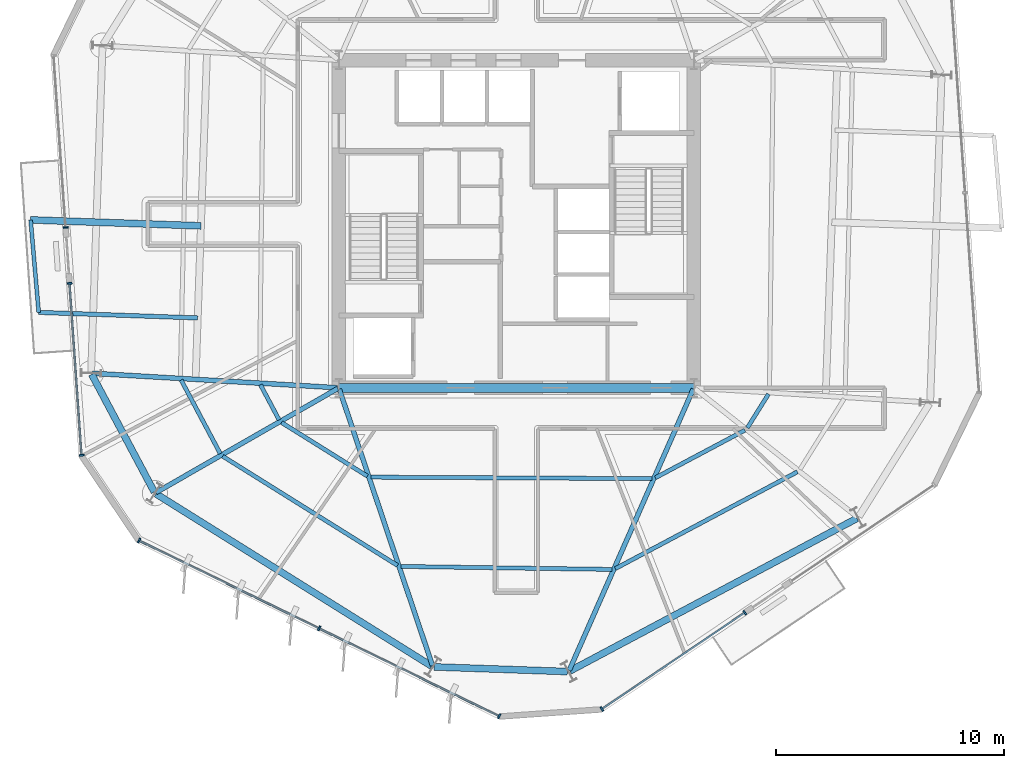
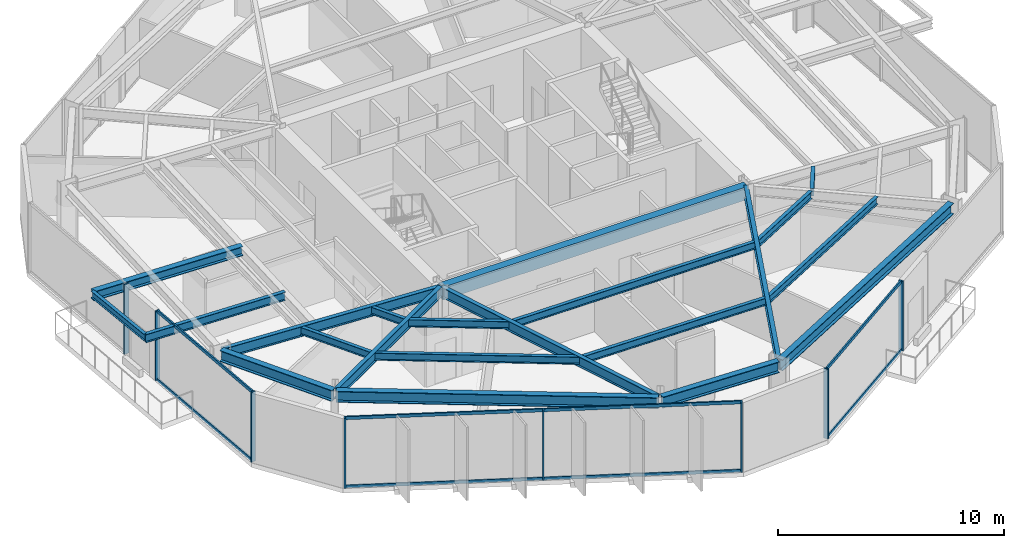
# One storey, part 2 of 14: 21 beams, 16 members, 4 elements without a shape of their own.
"""IFC4 building model written with IfcOpenShell, lengths in metres."""

from ifc_helpers import new_model, si_unit, direction, frame, origin, origin_2d, place, context, subcontext, project, spatial, rectangle, i_section, extrude, material, layer, layer_set, material_profile, profile_set, type_object, element, aggregate, save


model = new_model("IFC4")

# Units and contexts
model_context = context("Model", 3, precision=1e-05, world=origin(), true_north=direction((0.0, 1.0)))
body_context = subcontext(model_context, "Body", "Model", "MODEL_VIEW")
ifc_project = project(units=[si_unit("LENGTHUNIT", "METRE"), si_unit("AREAUNIT", "SQUARE_METRE"), si_unit("VOLUMEUNIT", "CUBIC_METRE"), si_unit("PLANEANGLEUNIT", "RADIAN"), si_unit("MASSUNIT", "GRAM", prefix="KILO")], contexts=[model_context])

# Site, building, storey
site_placement = place(None, origin())
site = spatial("IfcSite", under=ifc_project, at=site_placement, CompositionType="ELEMENT")
building_placement = place(site_placement, origin())
building = spatial("IfcBuilding", under=site, at=building_placement, Name="Kranzbogen Civic Tower", CompositionType="ELEMENT")
storey_placement = place(building_placement, frame((0.0, 0.0, 158.39990234375)))
storey = spatial("IfcBuildingStorey", under=building, at=storey_placement, Name="L38", CompositionType="ELEMENT", Elevation=158.39990234375)

# Beams
ifc_material_1 = material(Name="Steel S355", Category="steel")
ifc_material_profile_1 = material_profile(ifc_material_1, i_section(OverallWidth=0.18994140625, OverallDepth=0.449951171875, WebThickness=0.009521484375, FlangeThickness=0.0146484375, at=origin_2d()), Name="IPE 450")
ifc_profile_set_1 = profile_set([ifc_material_profile_1], Name="Steel S355")
beam_type_1 = type_object("IfcBeamType", Name="Braced Terrace Edge Beam IPE 450", PredefinedType="BEAM", material=ifc_profile_set_1)
beam_1_placement = place(storey_placement, frame((10.99609375, 20.8720703125, 3.525146484375), z_axis=(-0.999391481026, 0.034880763356, 0.0), x_axis=(-0.034880763356, -0.999391481026, 0.0)))
element("IfcBeam", 1, at=beam_1_placement, inside=storey, type_object=beam_type_1, Name="L39 back-spanned terrace beam L39-TB2-2", PredefinedType="BEAM", context=body_context, shape_type="SweptSolid", body=[
    extrude(i_section(OverallWidth=0.18994140625, OverallDepth=0.449951171875, WebThickness=0.009521484375, FlangeThickness=0.0146484375, at=origin_2d()), origin(), (0.0, 0.0, 1.0), 6.9921875),
])
ifc_material_2 = material(Name="Concrete C40/50", Category="concrete")
ifc_material_profile_2 = material_profile(ifc_material_2, rectangle(XDim=0.39990234375, YDim=0.699951171875, at=origin_2d()), Name="RC-BM 400x700")
ifc_profile_set_2 = profile_set([ifc_material_profile_2], Name="Concrete C40/50")
beam_type_2 = type_object("IfcBeamType", Name="Core Coupling Lintel Beam 400x700", PredefinedType="LINTEL", material=ifc_profile_set_2)
beam_2_placement = place(storey_placement, frame((17.199951171875, 17.800048828125, 3.41015625), z_axis=(1.0, 0.0, 0.0), x_axis=(0.0, 1.0, 0.0)))
element("IfcBeam", 2, at=beam_2_placement, inside=storey, type_object=beam_type_2, Name="L38 core South coupling lintel beam", PredefinedType="LINTEL", context=body_context, shape_type="SweptSolid", body=[
    extrude(rectangle(XDim=0.39990234375, YDim=0.699951171875, at=origin_2d()), origin(), (0.0, 0.0, 1.0), 15.60009765625),
])

# Curtain wall, member
ifc_material_3 = material(Name="Pale Anodised Aluminium", Category="aluminium")
ifc_layer = layer(ifc_material_3, 0.219970703125, Name="Pale Anodised Aluminium")
ifc_layer_set = layer_set([ifc_layer], Name="Pale Anodised Aluminium")
curtain_wall_type = type_object("IfcCurtainWallType", Name="Zone 2 Stick Curtain Wall System CW-03", PredefinedType="USERDEFINED", material=ifc_layer_set)
curtain_wall_1_placement = place(storey_placement, origin())
curtain_wall_1 = element("IfcCurtainWall", 3, at=curtain_wall_1_placement, inside=storey, type_object=curtain_wall_type, Name="L38 curtain wall CW-L38-F3-S1", ObjectType="STICK CURTAIN WALL", PredefinedType="USERDEFINED")
ifc_material_profile_3 = material_profile(ifc_material_3, rectangle(XDim=0.074951171875, YDim=0.219970703125, at=origin_2d()), Name="ALU-M 75x220")
ifc_profile_set_3 = profile_set([ifc_material_profile_3], Name="Pale Anodised Aluminium")
member_type_1 = type_object("IfcMemberType", Name="Curtain Wall Mullion ALU-M 75x220", PredefinedType="MULLION", material=ifc_profile_set_3)
member_1_placement = place(storey_placement, frame((5.18994140625, 24.847900390625, 0.0), z_axis=(0.0, 0.0, 1.0), x_axis=(0.069822609681, -0.997559423382, 0.0)))
member_1 = element("IfcMember", 4, at=member_1_placement, type_object=member_type_1, Name="CW-03 mullion 2", PredefinedType="MULLION", context=body_context, shape_type="SweptSolid", body=[
    extrude(rectangle(XDim=0.074951171875, YDim=0.219970703125, at=origin_2d()), origin(), (0.0, 0.0, 1.0), 3.760009765625),
])
aggregate(curtain_wall_1, [member_1])

# Curtain wall, members
curtain_wall_2_placement = place(storey_placement, origin())
curtain_wall_2 = element("IfcCurtainWall", 5, at=curtain_wall_2_placement, inside=storey, type_object=curtain_wall_type, Name="L38 curtain wall CW-L38-F3-S2", ObjectType="STICK CURTAIN WALL", PredefinedType="USERDEFINED")
member_2_placement = place(storey_placement, frame((5.362060546875, 22.39404296875, 0.0), z_axis=(0.0, 0.0, 1.0), x_axis=(0.069813486474, -0.997560061904, 0.0)))
member_2 = element("IfcMember", 6, at=member_2_placement, type_object=member_type_1, Name="CW-03 mullion 1", PredefinedType="MULLION", context=body_context, shape_type="SweptSolid", body=[
    extrude(rectangle(XDim=0.074951171875, YDim=0.219970703125, at=origin_2d()), origin(), (0.0, 0.0, 1.0), 3.760009765625),
])
member_3_placement = place(storey_placement, frame((5.890869140625, 14.837890625, 0.0), z_axis=(0.0, 0.0, 1.0), x_axis=(0.069813486474, -0.997560061904, 0.0)))
member_3 = element("IfcMember", 7, at=member_3_placement, type_object=member_type_1, Name="CW-03 mullion 2", PredefinedType="MULLION", context=body_context, shape_type="SweptSolid", body=[
    extrude(rectangle(XDim=0.074951171875, YDim=0.219970703125, at=origin_2d()), origin(), (0.0, 0.0, 1.0), 3.760009765625),
])

curtain_wall_3_placement = place(storey_placement, origin())
curtain_wall_3 = element("IfcCurtainWall", 8, at=curtain_wall_3_placement, inside=storey, type_object=curtain_wall_type, Name="L38 curtain wall CW-L38-F4", ObjectType="STICK CURTAIN WALL", PredefinedType="USERDEFINED")
member_4_placement = place(storey_placement, frame((8.4189453125, 11.0888671875, 0.0), z_axis=(0.0, 0.0, 1.0), x_axis=(0.8987869382, -0.438385720252, 0.0)))
member_4 = element("IfcMember", 9, at=member_4_placement, type_object=member_type_1, Name="CW-03 mullion 1", PredefinedType="MULLION", context=body_context, shape_type="SweptSolid", body=[
    extrude(rectangle(XDim=0.074951171875, YDim=0.219970703125, at=origin_2d()), origin(), (0.0, 0.0, 1.0), 3.760009765625),
])
member_5_placement = place(storey_placement, frame((16.33251953125, 7.22900390625, 0.0), z_axis=(0.0, 0.0, 1.0), x_axis=(0.8987869382, -0.438385720252, 0.0)))
member_5 = element("IfcMember", 10, at=member_5_placement, type_object=member_type_1, Name="CW-03 mullion 2", PredefinedType="MULLION", context=body_context, shape_type="SweptSolid", body=[
    extrude(rectangle(XDim=0.074951171875, YDim=0.219970703125, at=origin_2d()), origin(), (0.0, 0.0, 1.0), 3.760009765625),
])
member_6_placement = place(storey_placement, frame((24.24609375, 3.369140625, 0.0), z_axis=(0.0, 0.0, 1.0), x_axis=(0.8987869382, -0.438385720252, 0.0)))
member_6 = element("IfcMember", 11, at=member_6_placement, type_object=member_type_1, Name="CW-03 mullion 3", PredefinedType="MULLION", context=body_context, shape_type="SweptSolid", body=[
    extrude(rectangle(XDim=0.074951171875, YDim=0.219970703125, at=origin_2d()), origin(), (0.0, 0.0, 1.0), 3.760009765625),
])

curtain_wall_4_placement = place(storey_placement, origin())
curtain_wall_4 = element("IfcCurtainWall", 12, at=curtain_wall_4_placement, inside=storey, type_object=curtain_wall_type, Name="L38 curtain wall CW-L38-F5-S1", ObjectType="STICK CURTAIN WALL", PredefinedType="USERDEFINED")
member_7_placement = place(storey_placement, frame((28.7578125, 3.684814453125, 0.0), z_axis=(0.0, 0.0, 1.0), x_axis=(0.829035410899, 0.559196108244, 0.0)))
member_7 = element("IfcMember", 13, at=member_7_placement, type_object=member_type_1, Name="CW-03 mullion 1", PredefinedType="MULLION", context=body_context, shape_type="SweptSolid", body=[
    extrude(rectangle(XDim=0.074951171875, YDim=0.219970703125, at=origin_2d()), origin(), (0.0, 0.0, 1.0), 3.760009765625),
])
member_8_placement = place(storey_placement, frame((35.037109375, 7.920166015625, 0.0), z_axis=(0.0, 0.0, 1.0), x_axis=(0.829035410899, 0.559196108244, 0.0)))
member_8 = element("IfcMember", 14, at=member_8_placement, type_object=member_type_1, Name="CW-03 mullion 2", PredefinedType="MULLION", context=body_context, shape_type="SweptSolid", body=[
    extrude(rectangle(XDim=0.074951171875, YDim=0.219970703125, at=origin_2d()), origin(), (0.0, 0.0, 1.0), 3.760009765625),
])

# Member
ifc_material_profile_4 = material_profile(ifc_material_3, rectangle(XDim=0.074951171875, YDim=0.1650390625, at=origin_2d()), Name="ALU-T 75x165")
ifc_profile_set_4 = profile_set([ifc_material_profile_4], Name="Pale Anodised Aluminium")
member_type_2 = type_object("IfcMemberType", Name="Curtain Wall Transom ALU-T 75x165", PredefinedType="USERDEFINED", material=ifc_profile_set_4)
member_9_placement = place(storey_placement, frame((5.3642578125, 22.3642578125, 0.030029296875), z_axis=(0.069817812162, -0.997559759165, 0.0), x_axis=(0.997559759165, 0.069817812162, 0.0)))
member_9 = element("IfcMember", 15, at=member_9_placement, type_object=member_type_2, Name="CW-03 transom 1.1", ObjectType="TRANSOM", PredefinedType="USERDEFINED", context=body_context, shape_type="SweptSolid", body=[
    extrude(rectangle(XDim=0.074951171875, YDim=0.1650390625, at=origin_2d()), origin(), (0.0, 0.0, 1.0), 7.5146484375),
])

member_10_placement = place(storey_placement, frame((5.3642578125, 22.3642578125, 3.72998046875), z_axis=(0.069817812162, -0.997559759165, 0.0), x_axis=(0.997559759165, 0.069817812162, 0.0)))
member_10 = element("IfcMember", 16, at=member_10_placement, type_object=member_type_2, Name="CW-03 transom 1.2", ObjectType="TRANSOM", PredefinedType="USERDEFINED", context=body_context, shape_type="SweptSolid", body=[
    extrude(rectangle(XDim=0.074951171875, YDim=0.1650390625, at=origin_2d()), origin(), (0.0, 0.0, 1.0), 7.5146484375),
])

aggregate(curtain_wall_2, [member_2, member_3, member_9, member_10])

member_11_placement = place(storey_placement, frame((8.446044921875, 11.07568359375, 0.030029296875), z_axis=(0.898784008077, -0.438391727597, 0.0), x_axis=(0.438391727597, 0.898784008077, 0.0)))
member_11 = element("IfcMember", 17, at=member_11_placement, type_object=member_type_2, Name="CW-03 transom 1.1", ObjectType="TRANSOM", PredefinedType="USERDEFINED", context=body_context, shape_type="SweptSolid", body=[
    extrude(rectangle(XDim=0.074951171875, YDim=0.1650390625, at=origin_2d()), origin(), (0.0, 0.0, 1.0), 8.744384765625),
])

member_12_placement = place(storey_placement, frame((8.446044921875, 11.07568359375, 3.72998046875), z_axis=(0.898784008077, -0.438391727597, 0.0), x_axis=(0.438391727597, 0.898784008077, 0.0)))
member_12 = element("IfcMember", 18, at=member_12_placement, type_object=member_type_2, Name="CW-03 transom 1.2", ObjectType="TRANSOM", PredefinedType="USERDEFINED", context=body_context, shape_type="SweptSolid", body=[
    extrude(rectangle(XDim=0.074951171875, YDim=0.1650390625, at=origin_2d()), origin(), (0.0, 0.0, 1.0), 8.744384765625),
])

member_13_placement = place(storey_placement, frame((16.359375, 7.2158203125, 0.030029296875), z_axis=(0.898789373645, -0.438380727021, 0.0), x_axis=(0.438380727021, 0.898789373645, 0.0)))
member_13 = element("IfcMember", 19, at=member_13_placement, type_object=member_type_2, Name="CW-03 transom 2.1", ObjectType="TRANSOM", PredefinedType="USERDEFINED", context=body_context, shape_type="SweptSolid", body=[
    extrude(rectangle(XDim=0.074951171875, YDim=0.1650390625, at=origin_2d()), origin(), (0.0, 0.0, 1.0), 8.74462890625),
])

member_14_placement = place(storey_placement, frame((16.359375, 7.2158203125, 3.72998046875), z_axis=(0.898789373645, -0.438380727021, 0.0), x_axis=(0.438380727021, 0.898789373645, 0.0)))
member_14 = element("IfcMember", 20, at=member_14_placement, type_object=member_type_2, Name="CW-03 transom 2.2", ObjectType="TRANSOM", PredefinedType="USERDEFINED", context=body_context, shape_type="SweptSolid", body=[
    extrude(rectangle(XDim=0.074951171875, YDim=0.1650390625, at=origin_2d()), origin(), (0.0, 0.0, 1.0), 8.74462890625),
])

aggregate(curtain_wall_3, [member_4, member_5, member_6, member_11, member_12, member_13, member_14])

member_15_placement = place(storey_placement, frame((28.78271484375, 3.70166015625, 0.030029296875), z_axis=(0.829033947243, 0.559198278179, 0.0), x_axis=(-0.559198278179, 0.829033947243, 0.0)))
member_15 = element("IfcMember", 21, at=member_15_placement, type_object=member_type_2, Name="CW-03 transom 1.1", ObjectType="TRANSOM", PredefinedType="USERDEFINED", context=body_context, shape_type="SweptSolid", body=[
    extrude(rectangle(XDim=0.074951171875, YDim=0.1650390625, at=origin_2d()), origin(), (0.0, 0.0, 1.0), 7.51416015625),
])

member_16_placement = place(storey_placement, frame((28.78271484375, 3.70166015625, 3.72998046875), z_axis=(0.829033947243, 0.559198278179, 0.0), x_axis=(-0.559198278179, 0.829033947243, 0.0)))
member_16 = element("IfcMember", 22, at=member_16_placement, type_object=member_type_2, Name="CW-03 transom 1.2", ObjectType="TRANSOM", PredefinedType="USERDEFINED", context=body_context, shape_type="SweptSolid", body=[
    extrude(rectangle(XDim=0.074951171875, YDim=0.1650390625, at=origin_2d()), origin(), (0.0, 0.0, 1.0), 7.51416015625),
])

aggregate(curtain_wall_4, [member_7, member_8, member_15, member_16])

# Beams
ifc_material_profile_5 = material_profile(ifc_material_1, i_section(OverallWidth=0.300048828125, OverallDepth=0.5, WebThickness=0.014404296875, FlangeThickness=0.028076171875, at=origin_2d()), Name="HEB 500")
ifc_profile_set_5 = profile_set([ifc_material_profile_5], Name="Steel S355")
beam_type_3 = type_object("IfcBeamType", Name="Perimeter Tube Spandrel Beam HEB 500", PredefinedType="SPANDREL", material=ifc_profile_set_5)
beam_3_placement = place(storey_placement, frame((11.136962890625, 24.9189453125, 3.5), z_axis=(-0.999388096346, 0.034977605433, 0.0), x_axis=(-0.034977605433, -0.999388096346, 0.0)))
element("IfcBeam", 23, at=beam_3_placement, inside=storey, type_object=beam_type_3, Name="L39 back-spanned terrace beam L39-TB2-1", PredefinedType="SPANDREL", context=body_context, shape_type="SweptSolid", body=[
    extrude(i_section(OverallWidth=0.300048828125, OverallDepth=0.5, WebThickness=0.014404296875, FlangeThickness=0.028076171875, at=origin_2d()), origin(), (0.0, 0.0, 1.0), 7.489501953125),
])
ifc_material_profile_6 = material_profile(ifc_material_1, i_section(OverallWidth=0.300048828125, OverallDepth=0.60009765625, WebThickness=0.015380859375, FlangeThickness=0.030029296875, at=origin_2d()), Name="HEB 600")
ifc_profile_set_6 = profile_set([ifc_material_profile_6], Name="Steel S355")
beam_type_4 = type_object("IfcBeamType", Name="Perimeter Tube Spandrel Beam HEB 600", PredefinedType="SPANDREL", material=ifc_profile_set_6)
beam_4_placement = place(storey_placement, frame((6.337890625, 18.39111328125, 3.460205078125), z_axis=(0.469565926668, -0.882897412224, 0.0), x_axis=(0.882897412224, 0.469565926668, 0.0)))
element("IfcBeam", 24, at=beam_4_placement, inside=storey, type_object=beam_type_4, Name="L38 perimeter spandrel beam 01", PredefinedType="SPANDREL", context=body_context, shape_type="SweptSolid", body=[
    extrude(i_section(OverallWidth=0.300048828125, OverallDepth=0.60009765625, WebThickness=0.015380859375, FlangeThickness=0.030029296875, at=origin_2d()), origin(), (0.0, 0.0, 1.0), 5.852294921875),
])
beam_5_placement = place(storey_placement, frame((9.1650390625, 13.138916015625, 3.460205078125), z_axis=(0.848051101349, -0.52991445489, 0.0), x_axis=(0.52991445489, 0.848051101349, 0.0)))
element("IfcBeam", 25, at=beam_5_placement, inside=storey, type_object=beam_type_4, Name="L38 perimeter spandrel beam 02", PredefinedType="SPANDREL", context=body_context, shape_type="SweptSolid", body=[
    extrude(i_section(OverallWidth=0.300048828125, OverallDepth=0.60009765625, WebThickness=0.015380859375, FlangeThickness=0.030029296875, at=origin_2d()), origin(), (0.0, 0.0, 1.0), 14.286865234375),
])
beam_6_placement = place(storey_placement, frame((21.39208984375, 5.533935546875, 3.460205078125), z_axis=(0.999393148233, -0.03483296234, 0.0), x_axis=(0.03483296234, 0.999393148233, 0.0)))
element("IfcBeam", 26, at=beam_6_placement, inside=storey, type_object=beam_type_4, Name="L38 perimeter spandrel beam 03", PredefinedType="SPANDREL", context=body_context, shape_type="SweptSolid", body=[
    extrude(i_section(OverallWidth=0.300048828125, OverallDepth=0.60009765625, WebThickness=0.015380859375, FlangeThickness=0.030029296875, at=origin_2d()), origin(), (0.0, 0.0, 1.0), 5.8525390625),
])
beam_7_placement = place(storey_placement, frame((27.35400390625, 5.35595703125, 3.460205078125), z_axis=(0.882948194046, 0.469470432116, 0.0), x_axis=(-0.469470432116, 0.882948194046, 0.0)))
element("IfcBeam", 27, at=beam_7_placement, inside=storey, type_object=beam_type_4, Name="L38 perimeter spandrel beam 04", PredefinedType="SPANDREL", context=body_context, shape_type="SweptSolid", body=[
    extrude(i_section(OverallWidth=0.300048828125, OverallDepth=0.60009765625, WebThickness=0.015380859375, FlangeThickness=0.030029296875, at=origin_2d()), origin(), (0.0, 0.0, 1.0), 14.28857421875),
])
ifc_material_profile_7 = material_profile(ifc_material_1, i_section(OverallWidth=0.2099609375, OverallDepth=0.550048828125, WebThickness=0.010986328125, FlangeThickness=0.01708984375, at=origin_2d()), Name="IPE 550")
ifc_profile_set_7 = profile_set([ifc_material_profile_7], Name="Steel S355")
beam_type_5 = type_object("IfcBeamType", Name="Radial Tower Floor Girder IPE 550", PredefinedType="BEAM", material=ifc_profile_set_7)
beam_8_placement = place(storey_placement, frame((6.3701171875, 18.43994140625, 3.485107421875), z_axis=(0.998260925387, -0.058950189528, 0.0), x_axis=(0.058950189528, 0.998260925387, 0.0)))
element("IfcBeam", 28, at=beam_8_placement, inside=storey, type_object=beam_type_5, Name="L38 radial floor girder 01", PredefinedType="BEAM", context=body_context, shape_type="SweptSolid", body=[
    extrude(i_section(OverallWidth=0.2099609375, OverallDepth=0.550048828125, WebThickness=0.010986328125, FlangeThickness=0.01708984375, at=origin_2d()), origin(), (0.0, 0.0, 1.0), 10.78857421875),
])
beam_9_placement = place(storey_placement, frame((9.166015625, 13.200927734375, 3.485107421875), z_axis=(0.867868812182, 0.496793442833, 0.0), x_axis=(-0.496793442833, 0.867868812182, 0.0)))
element("IfcBeam", 29, at=beam_9_placement, inside=storey, type_object=beam_type_5, Name="L38 radial floor girder 02", PredefinedType="BEAM", context=body_context, shape_type="SweptSolid", body=[
    extrude(i_section(OverallWidth=0.2099609375, OverallDepth=0.550048828125, WebThickness=0.010986328125, FlangeThickness=0.01708984375, at=origin_2d()), origin(), (0.0, 0.0, 1.0), 9.197265625),
])
beam_10_placement = place(storey_placement, frame((21.31298828125, 5.593017578125, 3.485107421875), z_axis=(-0.319316617377, 0.947648087566, 0.0), x_axis=(-0.947648087566, -0.319316617377, 0.0)))
element("IfcBeam", 30, at=beam_10_placement, inside=storey, type_object=beam_type_5, Name="L38 radial floor girder 03", PredefinedType="BEAM", context=body_context, shape_type="SweptSolid", body=[
    extrude(i_section(OverallWidth=0.2099609375, OverallDepth=0.550048828125, WebThickness=0.010986328125, FlangeThickness=0.01708984375, at=origin_2d()), origin(), (0.0, 0.0, 1.0), 12.821044921875),
])
beam_11_placement = place(storey_placement, frame((27.324951171875, 5.383056640625, 3.485107421875), z_axis=(0.403459127705, 0.914997667905, 0.0), x_axis=(-0.914997667905, 0.403459127705, 0.0)))
element("IfcBeam", 31, at=beam_11_placement, inside=storey, type_object=beam_type_5, Name="L38 radial floor girder 04", PredefinedType="BEAM", context=body_context, shape_type="SweptSolid", body=[
    extrude(i_section(OverallWidth=0.2099609375, OverallDepth=0.550048828125, WebThickness=0.010986328125, FlangeThickness=0.01708984375, at=origin_2d()), origin(), (0.0, 0.0, 1.0), 13.510498046875),
])
ifc_material_profile_8 = material_profile(ifc_material_1, i_section(OverallWidth=0.169921875, OverallDepth=0.360107421875, WebThickness=0.008056640625, FlangeThickness=0.0126953125, at=origin_2d()), Name="IPE 360")
ifc_profile_set_8 = profile_set([ifc_material_profile_8], Name="Steel S355")
beam_type_6 = type_object("IfcBeamType", Name="Secondary Composite Floor Joist IPE 360", PredefinedType="JOIST", material=ifc_profile_set_8)
beam_12_placement = place(storey_placement, frame((3.652099609375, 25.180908203125, 3.570068359375), z_axis=(0.08723374865, -0.996187870382, 0.0), x_axis=(0.996187870382, 0.08723374865, 0.0)))
element("IfcBeam", 32, at=beam_12_placement, inside=storey, type_object=beam_type_6, Name="L39 terrace outer edge trimmer L39-TB2", PredefinedType="JOIST", context=body_context, shape_type="SweptSolid", body=[
    extrude(i_section(OverallWidth=0.169921875, OverallDepth=0.360107421875, WebThickness=0.008056640625, FlangeThickness=0.0126953125, at=origin_2d()), origin(), (0.0, 0.0, 1.0), 4.08056640625),
])
ifc_material_profile_9 = material_profile(ifc_material_1, i_section(OverallWidth=0.179931640625, OverallDepth=0.39990234375, WebThickness=0.008544921875, FlangeThickness=0.013427734375, at=origin_2d()), Name="IPE 400")
ifc_profile_set_9 = profile_set([ifc_material_profile_9], Name="Steel S355")
beam_type_7 = type_object("IfcBeamType", Name="Secondary Composite Floor Joist IPE 400", PredefinedType="JOIST", material=ifc_profile_set_9)
beam_13_placement = place(storey_placement, frame((10.26806640625, 18.14208984375, 3.56005859375), z_axis=(0.469338791783, -0.88301817565, 0.0), x_axis=(0.88301817565, 0.469338791783, 0.0)))
element("IfcBeam", 33, at=beam_13_placement, inside=storey, type_object=beam_type_7, Name="L38 secondary floor joist 1.01", PredefinedType="JOIST", context=body_context, shape_type="SweptSolid", body=[
    extrude(i_section(OverallWidth=0.179931640625, OverallDepth=0.39990234375, WebThickness=0.008544921875, FlangeThickness=0.013427734375, at=origin_2d()), origin(), (0.0, 0.0, 1.0), 3.66259765625),
])
beam_14_placement = place(storey_placement, frame((13.7529296875, 17.93505859375, 3.56005859375), z_axis=(0.46943723363, -0.882965845139, 0.0), x_axis=(0.882965845139, 0.46943723363, 0.0)))
element("IfcBeam", 34, at=beam_14_placement, inside=storey, type_object=beam_type_7, Name="L38 secondary floor joist 2.01", PredefinedType="JOIST", context=body_context, shape_type="SweptSolid", body=[
    extrude(i_section(OverallWidth=0.179931640625, OverallDepth=0.39990234375, WebThickness=0.008544921875, FlangeThickness=0.013427734375, at=origin_2d()), origin(), (0.0, 0.0, 1.0), 1.7509765625),
])
beam_15_placement = place(storey_placement, frame((12.093017578125, 14.794921875, 3.56005859375), z_axis=(0.848025549308, -0.529955345026, 0.0), x_axis=(0.529955345026, 0.848025549308, 0.0)))
element("IfcBeam", 35, at=beam_15_placement, inside=storey, type_object=beam_type_7, Name="L38 secondary floor joist 1.02", PredefinedType="JOIST", context=body_context, shape_type="SweptSolid", body=[
    extrude(i_section(OverallWidth=0.179931640625, OverallDepth=0.39990234375, WebThickness=0.008544921875, FlangeThickness=0.013427734375, at=origin_2d()), origin(), (0.0, 0.0, 1.0), 9.06103515625),
])
beam_16_placement = place(storey_placement, frame((14.679931640625, 16.27587890625, 3.56005859375), z_axis=(0.848093834398, -0.529846060716, 0.0), x_axis=(0.529846060716, 0.848093834398, 0.0)))
element("IfcBeam", 36, at=beam_16_placement, inside=storey, type_object=beam_type_7, Name="L38 secondary floor joist 2.02", PredefinedType="JOIST", context=body_context, shape_type="SweptSolid", body=[
    extrude(i_section(OverallWidth=0.179931640625, OverallDepth=0.39990234375, WebThickness=0.008544921875, FlangeThickness=0.013427734375, at=origin_2d()), origin(), (0.0, 0.0, 1.0), 4.4501953125),
])
beam_17_placement = place(storey_placement, frame((19.924072265625, 9.949951171875, 3.56005859375), z_axis=(0.999900525148, -0.014104602386, 0.0), x_axis=(0.014104602386, 0.999900525148, 0.0)))
element("IfcBeam", 37, at=beam_17_placement, inside=storey, type_object=beam_type_7, Name="L38 secondary floor joist 1.03", PredefinedType="JOIST", context=body_context, shape_type="SweptSolid", body=[
    extrude(i_section(OverallWidth=0.179931640625, OverallDepth=0.39990234375, WebThickness=0.008544921875, FlangeThickness=0.013427734375, at=origin_2d()), origin(), (0.0, 0.0, 1.0), 9.27783203125),
])
beam_18_placement = place(storey_placement, frame((18.60205078125, 13.875, 3.56005859375), z_axis=(0.999985774147, -0.005333995002, 0.0), x_axis=(0.005333995002, 0.999985774147, 0.0)))
element("IfcBeam", 38, at=beam_18_placement, inside=storey, type_object=beam_type_7, Name="L38 secondary floor joist 2.03", PredefinedType="JOIST", context=body_context, shape_type="SweptSolid", body=[
    extrude(i_section(OverallWidth=0.179931640625, OverallDepth=0.39990234375, WebThickness=0.008544921875, FlangeThickness=0.013427734375, at=origin_2d()), origin(), (0.0, 0.0, 1.0), 12.358154296875),
])
beam_19_placement = place(storey_placement, frame((29.35107421875, 9.85498046875, 3.56005859375), z_axis=(0.882960787661, 0.469446746131, 0.0), x_axis=(-0.469446746131, 0.882960787661, 0.0)))
element("IfcBeam", 39, at=beam_19_placement, inside=storey, type_object=beam_type_7, Name="L38 secondary floor joist 1.04", PredefinedType="JOIST", context=body_context, shape_type="SweptSolid", body=[
    extrude(i_section(OverallWidth=0.179931640625, OverallDepth=0.39990234375, WebThickness=0.008544921875, FlangeThickness=0.013427734375, at=origin_2d()), origin(), (0.0, 0.0, 1.0), 9.0615234375),
])
beam_20_placement = place(storey_placement, frame((31.111083984375, 13.846923828125, 3.56005859375), z_axis=(0.882991399158, 0.469389165844, 0.0), x_axis=(-0.469389165844, 0.882991399158, 0.0)))
element("IfcBeam", 40, at=beam_20_placement, inside=storey, type_object=beam_type_7, Name="L38 secondary floor joist 2.04", PredefinedType="JOIST", context=body_context, shape_type="SweptSolid", body=[
    extrude(i_section(OverallWidth=0.179931640625, OverallDepth=0.39990234375, WebThickness=0.008544921875, FlangeThickness=0.013427734375, at=origin_2d()), origin(), (0.0, 0.0, 1.0), 4.45068359375),
])
beam_21_placement = place(storey_placement, frame((35.154052734375, 16.041015625, 3.56005859375), z_axis=(0.529572623603, 0.84826460278, 0.0), x_axis=(-0.84826460278, 0.529572623603, 0.0)))
element("IfcBeam", 41, at=beam_21_placement, inside=storey, type_object=beam_type_7, Name="L38 secondary floor joist 2.05", PredefinedType="JOIST", context=body_context, shape_type="SweptSolid", body=[
    extrude(i_section(OverallWidth=0.179931640625, OverallDepth=0.39990234375, WebThickness=0.008544921875, FlangeThickness=0.013427734375, at=origin_2d()), origin(), (0.0, 0.0, 1.0), 1.75048828125),
])

save(model, "model.ifc")
